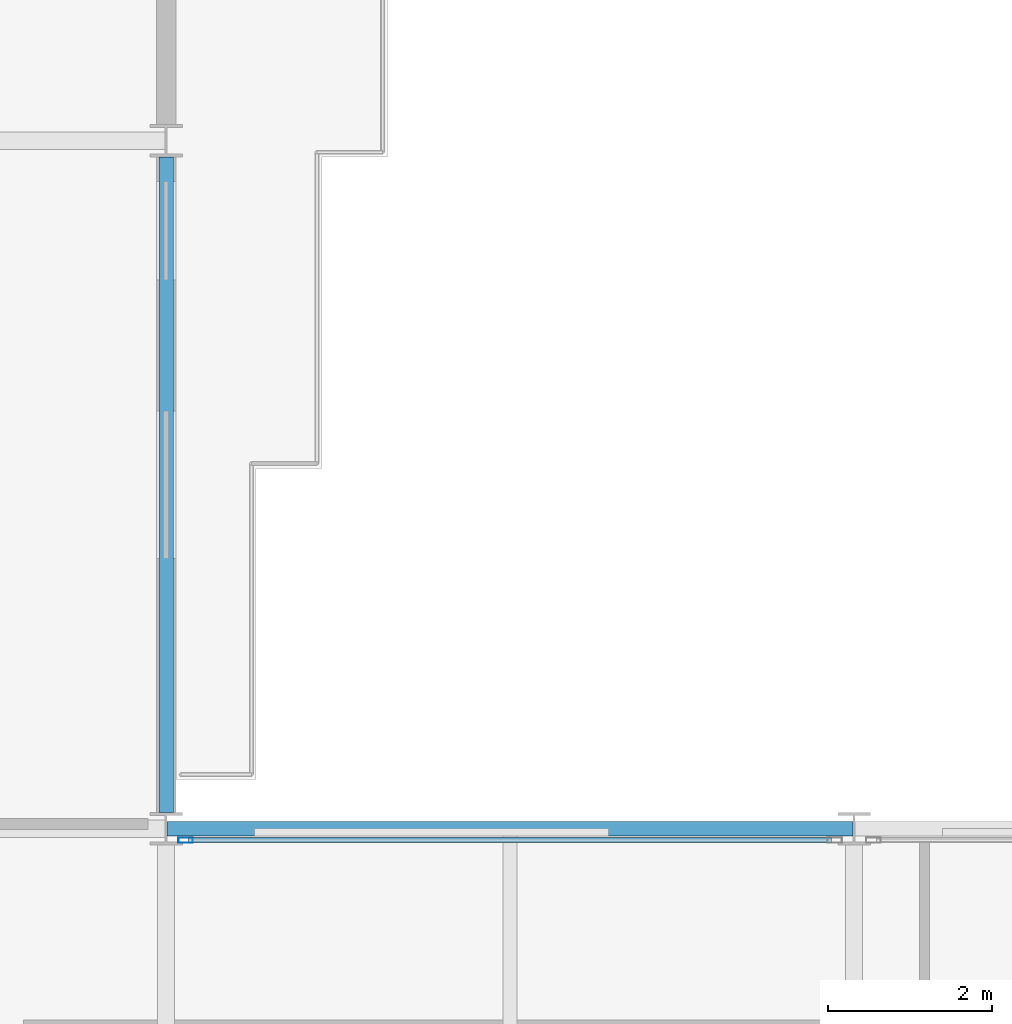
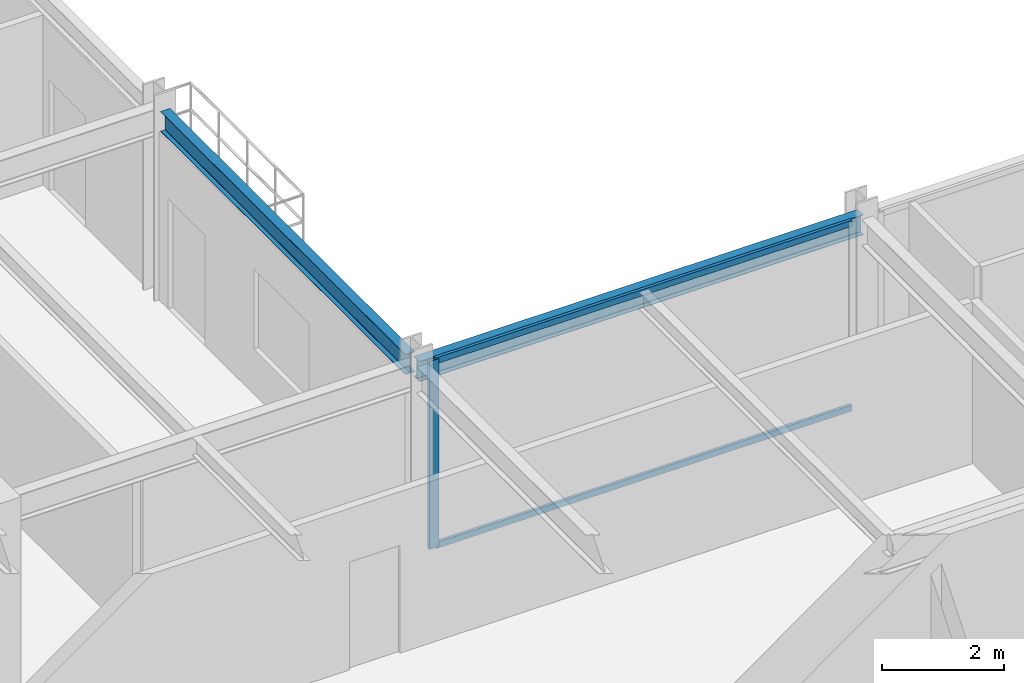
# One storey, part 12 of 29: 3 members, 2 beams, 1 element without a shape of its own.
"""IFC4 building model written with IfcOpenShell, lengths in metres."""

from ifc_helpers import new_model, si_unit, direction, frame, origin, origin_2d, place, context, subcontext, project, spatial, hollow_rectangle, i_section, extrude, material, layer, layer_set, material_profile, profile_set, type_object, element, aggregate, save


model = new_model("IFC4")

# Units and contexts
model_context = context("Model", 3, precision=1e-05, world=origin(), true_north=direction((0.0, 1.0)))
body_context = subcontext(model_context, "Body", "Model", "MODEL_VIEW")
ifc_project = project(units=[si_unit("LENGTHUNIT", "METRE"), si_unit("AREAUNIT", "SQUARE_METRE"), si_unit("VOLUMEUNIT", "CUBIC_METRE"), si_unit("PLANEANGLEUNIT", "RADIAN"), si_unit("MASSUNIT", "GRAM", prefix="KILO")], contexts=[model_context])

# Site, building, storey
site_placement = place(None, origin())
site = spatial("IfcSite", under=ifc_project, at=site_placement, CompositionType="ELEMENT")
building_placement = place(site_placement, origin())
building = spatial("IfcBuilding", under=site, at=building_placement, Name="Nerrivon Quay Data Exchange", CompositionType="ELEMENT")
storey_placement = place(building_placement, frame((0.0, 0.0, 158.199951171875)))
storey = spatial("IfcBuildingStorey", under=building, at=storey_placement, Name="L37", CompositionType="ELEMENT", Elevation=158.199951171875)

# Beams
ifc_material_1 = material(Name="Steel Grade 350", Category="steel")
ifc_material_profile_1 = material_profile(ifc_material_1, i_section(OverallWidth=0.177978515625, OverallDepth=0.403076171875, WebThickness=0.007568359375, FlangeThickness=0.010986328125, FilletRadius=0.011474609375, at=origin_2d()), Name="410UB53.7")
ifc_profile_set_1 = profile_set([ifc_material_profile_1], Name="Steel Grade 350")
beam_type = type_object("IfcBeamType", Name="BM-SP2-410UB54", PredefinedType="SPANDREL", material=ifc_profile_set_1)
beam_1_placement = place(storey_placement, frame((25.21240234375, 25.199951171875, 3.548583984375), z_axis=(1.0, 0.0, 0.0), x_axis=(0.0, 1.0, 0.0)))
element("IfcBeam", 1, at=beam_1_placement, inside=storey, type_object=beam_type, Name="L37 EW Girder Y=25.2 (25.2..33.6)", PredefinedType="SPANDREL", context=body_context, shape_type="SweptSolid", body=[
    extrude(i_section(OverallWidth=0.177978515625, OverallDepth=0.403076171875, WebThickness=0.007568359375, FlangeThickness=0.010986328125, FilletRadius=0.011474609375, at=origin_2d()), origin(), (0.0, 0.0, 1.0), 8.375),
])
beam_2_placement = place(storey_placement, frame((25.199951171875, 25.39990234375, 3.548583984375), z_axis=(0.0, 1.0, 0.0), x_axis=(-1.0, 0.0, 0.0)))
element("IfcBeam", 2, at=beam_2_placement, inside=storey, type_object=beam_type, Name="L37 NS Girder X=25.2 (25.2..33.6)", PredefinedType="SPANDREL", context=body_context, shape_type="SweptSolid", body=[
    extrude(i_section(OverallWidth=0.177978515625, OverallDepth=0.403076171875, WebThickness=0.007568359375, FlangeThickness=0.010986328125, FilletRadius=0.011474609375, at=origin_2d()), origin(), (0.0, 0.0, 1.0), 8.0),
])

# Curtain wall, members
ifc_material_2 = material(Name="Anodised aluminium 6063-T6", Category="aluminium")
ifc_layer = layer(ifc_material_2, 0.2099609375)
ifc_layer_set = layer_set([ifc_layer], Name="Anodised aluminium 6063-T6")
curtain_wall_type = type_object("IfcCurtainWallType", Name="CW-SYS-02", PredefinedType="NOTDEFINED", material=ifc_layer_set)
curtain_wall_placement = place(storey_placement, origin())
curtain_wall = element("IfcCurtainWall", 3, at=curtain_wall_placement, inside=storey, type_object=curtain_wall_type, Name="L37 Unitised Curtain Wall 26", PredefinedType="NOTDEFINED")
ifc_material_profile_2 = material_profile(ifc_material_2, hollow_rectangle(XDim=0.06494140625, YDim=0.179931640625, WallThickness=0.00341796875, at=origin_2d()), Name="ALU-MULL-180x65")
ifc_profile_set_2 = profile_set([ifc_material_profile_2], Name="Anodised aluminium 6063-T6")
member_type_1 = type_object("IfcMemberType", Name="CWM-180x65", PredefinedType="MULLION", material=ifc_profile_set_2)
member_1_placement = place(storey_placement, frame((25.4375, 25.06005859375, 0.0), z_axis=(0.0, 0.0, 1.0), x_axis=(0.0, 1.0, 0.0)))
member_1 = element("IfcMember", 4, at=member_1_placement, type_object=member_type_1, Name="CW02 mullion 1", PredefinedType="MULLION", context=body_context, shape_type="SweptSolid", body=[
    extrude(hollow_rectangle(XDim=0.06494140625, YDim=0.179931640625, WallThickness=0.00341796875, at=origin_2d()), origin(), (0.0, 0.0, 1.0), 3.75),
])
ifc_material_profile_3 = material_profile(ifc_material_2, hollow_rectangle(XDim=0.06005859375, YDim=0.1201171875, WallThickness=0.003173828125, at=origin_2d()), Name="ALU-TRAN-120x60")
ifc_profile_set_3 = profile_set([ifc_material_profile_3], Name="Anodised aluminium 6063-T6")
member_type_2 = type_object("IfcMemberType", Name="CWT-120x60", PredefinedType="USERDEFINED", material=ifc_profile_set_3)
member_2_placement = place(storey_placement, frame((25.47509765625, 25.06005859375, 0.032470703125), z_axis=(1.0, 0.0, 0.0), x_axis=(0.0, 1.0, 0.0)))
member_2 = element("IfcMember", 5, at=member_2_placement, type_object=member_type_2, Name="CW02 transom 1.1", ObjectType="TRANSOM", PredefinedType="USERDEFINED", context=body_context, shape_type="SweptSolid", body=[
    extrude(hollow_rectangle(XDim=0.06005859375, YDim=0.1201171875, WallThickness=0.003173828125, at=origin_2d()), origin(), (0.0, 0.0, 1.0), 7.849853515625),
])
member_3_placement = place(storey_placement, frame((25.47509765625, 25.06005859375, 3.717529296875), z_axis=(1.0, 0.0, 0.0), x_axis=(0.0, 1.0, 0.0)))
member_3 = element("IfcMember", 6, at=member_3_placement, type_object=member_type_2, Name="CW02 transom 1.2", ObjectType="TRANSOM", PredefinedType="USERDEFINED", context=body_context, shape_type="SweptSolid", body=[
    extrude(hollow_rectangle(XDim=0.06005859375, YDim=0.1201171875, WallThickness=0.003173828125, at=origin_2d()), origin(), (0.0, 0.0, 1.0), 7.849853515625),
])
aggregate(curtain_wall, [member_1, member_2, member_3])

save(model, "model.ifc")
